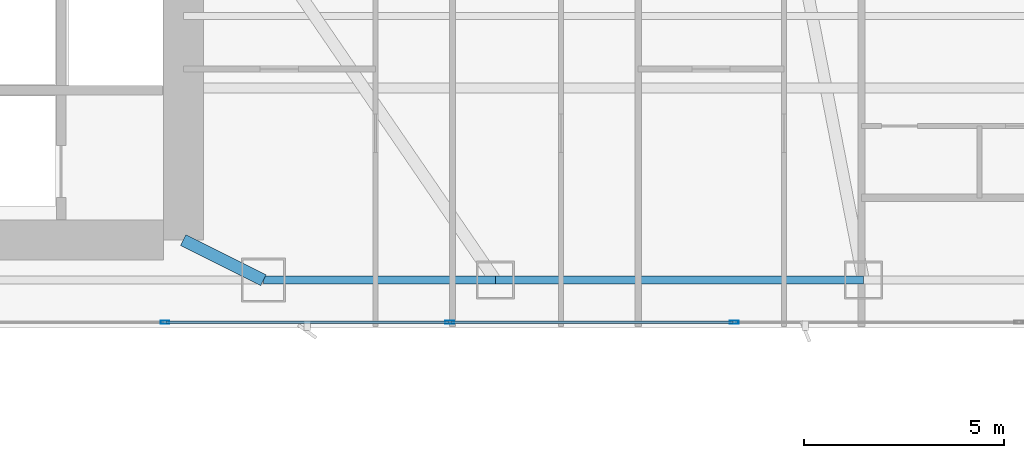
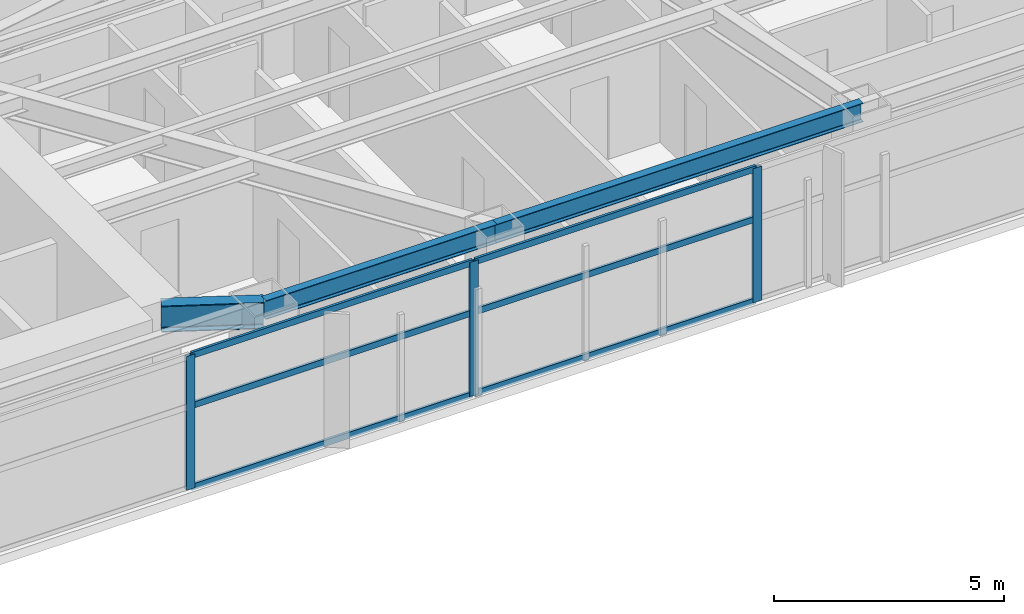
# One storey, part 12 of 30: 9 members, 3 beams, 1 element without a shape of its own.
"""IFC4 building model written with IfcOpenShell, lengths in metres."""

import ifcopenshell
import ifcopenshell.guid

model = None  # the IFC model being written
_history = None  # IfcOwnerHistory: only IFC2X3 demands one
_inside = {}  # id of a spatial element -> (the spatial element, [elements in it])
_under = {}  # id of a project, library or spatial element -> (it, [spatial elements below it])
_declared = {}  # id of a project -> (the project, [libraries it declares])
_typed = {}  # id of a type object -> (the type object, [elements of that type])
_made_of = {}  # id of a material, layer set ... -> (it, [elements and type objects made of it])


def new_model(schema):
    """Start an empty IFC model of exactly this schema.

    Asked for "IFC4X3", IfcOpenShell would pick the latest addendum, in which some entities
    have other attributes; the version numbers below select the first issue.
    IFC2X3 requires an IfcOwnerHistory on every rooted entity: one is made here for all.
    """
    global model, _history
    if schema == "IFC4X3":
        model = ifcopenshell.file(schema_version=(4, 3, 0, 0))
    else:
        model = ifcopenshell.file(schema=schema)
    _inside.clear()
    _under.clear()
    _declared.clear()
    _typed.clear()
    _made_of.clear()
    _history = None
    if model.schema == "IFC2X3":
        org = make("IfcOrganization", Name="unknown")
        user = make(
            "IfcPersonAndOrganization",
            ThePerson=make("IfcPerson", FamilyName="unknown"),
            TheOrganization=org,
        )
        app = make(
            "IfcApplication",
            ApplicationDeveloper=org,
            Version="unknown",
            ApplicationFullName="unknown",
            ApplicationIdentifier="unknown",
        )
        _history = make(
            "IfcOwnerHistory",
            OwningUser=user,
            OwningApplication=app,
            ChangeAction="ADDED",
            CreationDate=0,
        )
    return model


def make(cls, **values):
    """One entity of the class cls with the attributes given. An attribute that is None is left unset."""
    return model.create_entity(
        cls, **{name: value for name, value in values.items() if value is not None}
    )


def rooted(cls, **values):
    """An entity with a GlobalId (a new one), such as an element, a storey or a relation."""
    return make(cls, GlobalId=ifcopenshell.guid.new(), OwnerHistory=_history, **values)


def si_unit(unit_type, name, prefix=None):
    """IfcSIUnit, for example si_unit("LENGTHUNIT", "METRE", prefix="MILLI")."""
    return make("IfcSIUnit", UnitType=unit_type, Prefix=prefix, Name=name)


def assignment(units):
    """IfcUnitAssignment: the units of a project."""
    return None if units is None else make("IfcUnitAssignment", Units=units)


def point(xyz):
    """IfcCartesianPoint."""
    return None if xyz is None else make("IfcCartesianPoint", Coordinates=xyz)


def direction(xyz):
    """IfcDirection."""
    return None if xyz is None else make("IfcDirection", DirectionRatios=xyz)


def frame(location, z_axis=None, x_axis=None):
    """IfcAxis2Placement3D, a coordinate frame: its origin and axes. An axis left out is left unset."""
    return make(
        "IfcAxis2Placement3D",
        Location=point(location),
        Axis=direction(z_axis),
        RefDirection=direction(x_axis),
    )


def frame_2d(location, x_axis=None):
    """IfcAxis2Placement2D, a coordinate frame in the plane: its origin and x axis."""
    return make(
        "IfcAxis2Placement2D", Location=point(location), RefDirection=direction(x_axis)
    )


def origin():
    """The frame at (0, 0, 0) with its axes left unset."""
    return frame((0.0, 0.0, 0.0))


def origin_2d():
    """The frame at (0, 0) in the plane with its x axis left unset."""
    return frame_2d((0.0, 0.0))


def place(relative_to, where):
    """IfcLocalPlacement: puts the frame where relative to a parent placement (None: the world)."""
    return make(
        "IfcLocalPlacement", PlacementRelTo=relative_to, RelativePlacement=where
    )


def context(
    kind, dimensions, precision=None, world=None, true_north=None, identifier=None
):
    """IfcGeometricRepresentationContext, for example the 3D "Model" context."""
    return make(
        "IfcGeometricRepresentationContext",
        ContextIdentifier=identifier,
        ContextType=kind,
        CoordinateSpaceDimension=dimensions,
        Precision=precision,
        WorldCoordinateSystem=world,
        TrueNorth=true_north,
    )


def subcontext(parent, identifier, kind, view, scale=None):
    """IfcGeometricRepresentationSubContext, for example "Body" below "Model"."""
    return make(
        "IfcGeometricRepresentationSubContext",
        ContextIdentifier=identifier,
        ContextType=kind,
        ParentContext=parent,
        TargetScale=scale,
        TargetView=view,
    )


def project(units=None, contexts=None):
    """IfcProject with its units and contexts."""
    return rooted(
        "IfcProject",
        Name="project",
        RepresentationContexts=contexts,
        UnitsInContext=assignment(units),
    )


def spatial(cls, under=None, at=None, **own):
    """A site, building, storey or space (cls), placed at a placement, below another one or the project."""
    s = rooted(cls, ObjectPlacement=at, **own)
    if under is not None:
        _under.setdefault(under.id(), (under, []))[1].append(s)
    return s


def profile(cls, at=None, kind="AREA", **sizes):
    """A parametric profile (cls). Its sizes go by their IFC names, for example OverallWidth=200.0."""
    return make(cls, ProfileType=kind, Position=at, **sizes)


def hollow_rectangle(**sizes):
    """IfcRectangleHollowProfileDef."""
    return profile("IfcRectangleHollowProfileDef", **sizes)


def i_section(**sizes):
    """IfcIShapeProfileDef."""
    return profile("IfcIShapeProfileDef", **sizes)


def extrude(swept, where, along, depth):
    """IfcExtrudedAreaSolid: the profile swept, set in the frame where, extruded along a direction by depth."""
    return make(
        "IfcExtrudedAreaSolid",
        SweptArea=swept,
        Position=where,
        ExtrudedDirection=direction(along),
        Depth=depth,
    )


def shape(context_of_items, identifier, shape_type, items):
    """IfcShapeRepresentation: the items that make up one representation, for example the "Body"."""
    return make(
        "IfcShapeRepresentation",
        ContextOfItems=context_of_items,
        RepresentationIdentifier=identifier,
        RepresentationType=shape_type,
        Items=items,
    )


def material(Name=None, Category=None):
    """IfcMaterial."""
    return make("IfcMaterial", Name=Name, Category=Category)


def layer(
    of_material, thickness, ventilated=None, Name=None, Category=None, Priority=None
):
    """IfcMaterialLayer: one layer of a wall or slab, of a material (None: an air gap)."""
    return make(
        "IfcMaterialLayer",
        Material=of_material,
        LayerThickness=thickness,
        IsVentilated=ventilated,
        Name=Name,
        Category=Category,
        Priority=Priority,
    )


def layer_set(layers, Name=None):
    """IfcMaterialLayerSet."""
    return make("IfcMaterialLayerSet", MaterialLayers=layers, LayerSetName=Name)


def material_profile(
    of_material, cross_section, Name=None, Category=None, Priority=None
):
    """IfcMaterialProfile: a cross section and its material."""
    return make(
        "IfcMaterialProfile",
        Name=Name,
        Material=of_material,
        Profile=cross_section,
        Priority=Priority,
        Category=Category,
    )


def profile_set(profiles, Name=None, composite=None):
    """IfcMaterialProfileSet."""
    return make(
        "IfcMaterialProfileSet",
        Name=Name,
        MaterialProfiles=profiles,
        CompositeProfile=composite,
    )


def made_of(thing, what):
    """Note that an element or type object is made of a material, layer set ...; save() writes the relation."""
    if what is not None:
        _made_of.setdefault(what.id(), (what, []))[1].append(thing)
    return thing


def type_object(cls, material=None, **own):
    """A type object (cls), such as IfcWallType, which elements share."""
    return made_of(rooted(cls, **own), material)


def element(
    cls,
    number,
    at=None,
    inside=None,
    cuts=None,
    type_object=None,
    material=None,
    context=None,
    identifier="Body",
    shape_type=None,
    held_by="IfcProductDefinitionShape",
    body=None,
    shapes=None,
    **own,
):
    """One element of the class cls, such as IfcWall. Its Tag is "e" and its number.

    at: its placement. inside: the storey or other place that contains it. cuts: it is an
    opening in that element (IfcRelVoidsElement). A single representation is given by context,
    identifier, shape_type and body (its items); several are given by shapes. held_by: the class
    of the entity that holds the representations. save() writes the other relations.
    """
    e = rooted(cls, Tag="e%d" % number, ObjectPlacement=at, **own)
    if body is not None:
        shapes = [shape(context, identifier, shape_type, body)]
    if shapes is not None:
        e.Representation = make(held_by, Representations=shapes)
    if inside is not None:
        _inside.setdefault(inside.id(), (inside, []))[1].append(e)
    if cuts is not None:
        rooted(
            "IfcRelVoidsElement", RelatingBuildingElement=cuts, RelatedOpeningElement=e
        )
    if type_object is not None:
        _typed.setdefault(type_object.id(), (type_object, []))[1].append(e)
    return made_of(e, material)


def aggregate(whole, parts):
    """IfcRelAggregates: a whole, such as a stair, and the parts it consists of."""
    return rooted("IfcRelAggregates", RelatingObject=whole, RelatedObjects=parts)


def save(model, path):
    """Write the relations noted so far, then the file.

    IfcRelAggregates (storeys below a building ...), IfcRelContainedInSpatialStructure (elements
    in a storey), IfcRelDefinesByType, IfcRelAssociatesMaterial and IfcRelDeclares: one each for
    every whole, place, type object, material and project.
    """
    for whole, parts in _under.values():
        aggregate(whole, parts)
    for where, things in _inside.values():
        rooted(
            "IfcRelContainedInSpatialStructure",
            RelatedElements=things,
            RelatingStructure=where,
        )
    for kind, things in _typed.values():
        rooted("IfcRelDefinesByType", RelatedObjects=things, RelatingType=kind)
    for what, things in _made_of.values():
        rooted("IfcRelAssociatesMaterial", RelatedObjects=things, RelatingMaterial=what)
    for by, libraries in _declared.values():
        rooted("IfcRelDeclares", RelatingContext=by, RelatedDefinitions=libraries)
    model.write(path)


model = new_model("IFC4")

# Units and contexts
model_context = context("Model", 3, precision=1e-05, world=origin(), true_north=direction((0.0, 1.0)))
body_context = subcontext(model_context, "Body", "Model", "MODEL_VIEW")
ifc_project = project(units=[si_unit("LENGTHUNIT", "METRE"), si_unit("AREAUNIT", "SQUARE_METRE"), si_unit("VOLUMEUNIT", "CUBIC_METRE"), si_unit("PLANEANGLEUNIT", "RADIAN"), si_unit("MASSUNIT", "GRAM", prefix="KILO")], contexts=[model_context])

# Site, building, storey
site_placement = place(None, origin())
site = spatial("IfcSite", under=ifc_project, at=site_placement, CompositionType="ELEMENT")
building_placement = place(site_placement, origin())
building = spatial("IfcBuilding", under=site, at=building_placement, Name="Calvorn Quay Hotel", CompositionType="ELEMENT")
storey_placement = place(building_placement, frame((0.0, 0.0, 50.800048828125)))
storey = spatial("IfcBuildingStorey", under=building, at=storey_placement, Name="L11", CompositionType="ELEMENT", Elevation=50.800048828125)

# Beams
ifc_material_1 = material(Name="Steel Q390GJC", Category="steel")
ifc_material_profile_1 = material_profile(ifc_material_1, i_section(OverallWidth=0.300048828125, OverallDepth=0.699951171875, WebThickness=0.012939453125, FlangeThickness=0.02392578125, FilletRadius=0.02392578125, at=origin_2d()), Name="HN700x300x13x24")
ifc_profile_set_1 = profile_set([ifc_material_profile_1], Name="Steel Q390GJC")
beam_type_1 = type_object("IfcBeamType", Name="BM-GIRD-MAIN", PredefinedType="BEAM", material=ifc_profile_set_1)
beam_1_placement = place(storey_placement, frame((34.39990234375, 3.60009765625, 3.18994140625), z_axis=(-0.894427191, 0.4472135955, 0.0), x_axis=(-0.4472135955, -0.894427191, 0.0)))
element("IfcBeam", 1, at=beam_1_placement, inside=storey, type_object=beam_type_1, Name="Beam BG-L11-S3", PredefinedType="BEAM", context=body_context, shape_type="SweptSolid", body=[
    extrude(i_section(OverallWidth=0.300048828125, OverallDepth=0.699951171875, WebThickness=0.012939453125, FlangeThickness=0.02392578125, FilletRadius=0.02392578125, at=origin_2d()), origin(), (0.0, 0.0, 1.0), 2.236083984375),
])
ifc_material_2 = material(Name="Steel Q355B", Category="steel")
ifc_material_profile_2 = material_profile(ifc_material_2, i_section(OverallWidth=0.199951171875, OverallDepth=0.5, WebThickness=0.010009765625, FlangeThickness=0.01611328125, FilletRadius=0.01611328125, at=origin_2d()), Name="HN500x200x10x16")
ifc_profile_set_2 = profile_set([ifc_material_profile_2], Name="Steel Q355B")
beam_type_2 = type_object("IfcBeamType", Name="BM-SPANDREL-Z1", PredefinedType="SPANDREL", material=ifc_profile_set_2)
beam_2_placement = place(storey_placement, frame((34.39990234375, 3.60009765625, 3.2900390625), z_axis=(1.0, 0.0, 0.0), x_axis=(0.0, 1.0, 0.0)))
element("IfcBeam", 2, at=beam_2_placement, inside=storey, type_object=beam_type_2, Name="Beam BSP-L11-S4", PredefinedType="SPANDREL", context=body_context, shape_type="SweptSolid", body=[
    extrude(i_section(OverallWidth=0.199951171875, OverallDepth=0.5, WebThickness=0.010009765625, FlangeThickness=0.01611328125, FilletRadius=0.01611328125, at=origin_2d()), origin(), (0.0, 0.0, 1.0), 5.800048828125),
])
beam_3_placement = place(storey_placement, frame((40.199951171875, 3.60009765625, 3.2900390625), z_axis=(1.0, 0.0, 0.0), x_axis=(0.0, 1.0, 0.0)))
element("IfcBeam", 3, at=beam_3_placement, inside=storey, type_object=beam_type_2, Name="Beam BSP-L11-S5", PredefinedType="SPANDREL", context=body_context, shape_type="SweptSolid", body=[
    extrude(i_section(OverallWidth=0.199951171875, OverallDepth=0.5, WebThickness=0.010009765625, FlangeThickness=0.01611328125, FilletRadius=0.01611328125, at=origin_2d()), origin(), (0.0, 0.0, 1.0), 9.199951171875),
])

# Curtain wall, members
ifc_material_3 = material(Name="Pale Anodised Aluminium and Low-E Glass", Category="aluminium")
ifc_layer = layer(ifc_material_3, 0.219970703125)
ifc_layer_set = layer_set([ifc_layer], Name="CW-SYS-Z1")
curtain_wall_type = type_object("IfcCurtainWallType", Name="CW-SYS-Z1", PredefinedType="NOTDEFINED", material=ifc_layer_set)
curtain_wall_placement = place(storey_placement, origin())
curtain_wall = element("IfcCurtainWall", 4, at=curtain_wall_placement, inside=storey, type_object=curtain_wall_type, Name="Tower South Waterfront Curtain Wall (L11)", PredefinedType="NOTDEFINED")
ifc_material_4 = material(Name="Pale Anodised Aluminium 6063-T6", Category="aluminium")
ifc_material_profile_3 = material_profile(ifc_material_4, hollow_rectangle(XDim=0.074951171875, YDim=0.219970703125, WallThickness=0.00439453125, at=origin_2d()), Name="ALU-M220x75x4.5")
ifc_profile_set_3 = profile_set([ifc_material_profile_3], Name="Pale Anodised Aluminium 6063-T6")
member_type_1 = type_object("IfcMemberType", Name="CW-SYS-Z1-MUL", PredefinedType="MULLION", material=ifc_profile_set_3)
member_1_placement = place(storey_placement, frame((31.94287109375, 2.550048828125, 0.0), z_axis=(0.0, 0.0, 1.0), x_axis=(0.0, 1.0, 0.0)))
member_1 = element("IfcMember", 5, at=member_1_placement, type_object=member_type_1, Name="CW-L11-S mullion 4", PredefinedType="MULLION", context=body_context, shape_type="SweptSolid", body=[
    extrude(hollow_rectangle(XDim=0.074951171875, YDim=0.219970703125, WallThickness=0.00439453125, at=origin_2d()), origin(), (0.0, 0.0, 1.0), 3.56005859375),
])
member_2_placement = place(storey_placement, frame((39.05712890625, 2.550048828125, 0.0), z_axis=(0.0, 0.0, 1.0), x_axis=(0.0, 1.0, 0.0)))
member_2 = element("IfcMember", 6, at=member_2_placement, type_object=member_type_1, Name="CW-L11-S mullion 5", PredefinedType="MULLION", context=body_context, shape_type="SweptSolid", body=[
    extrude(hollow_rectangle(XDim=0.074951171875, YDim=0.219970703125, WallThickness=0.00439453125, at=origin_2d()), origin(), (0.0, 0.0, 1.0), 3.56005859375),
])
member_3_placement = place(storey_placement, frame((46.17138671875, 2.550048828125, 0.0), z_axis=(0.0, 0.0, 1.0), x_axis=(0.0, 1.0, 0.0)))
member_3 = element("IfcMember", 7, at=member_3_placement, type_object=member_type_1, Name="CW-L11-S mullion 6", PredefinedType="MULLION", context=body_context, shape_type="SweptSolid", body=[
    extrude(hollow_rectangle(XDim=0.074951171875, YDim=0.219970703125, WallThickness=0.00439453125, at=origin_2d()), origin(), (0.0, 0.0, 1.0), 3.56005859375),
])
ifc_material_5 = material(Name="Pale Anodised Aluminium 6063-T6", Category="aluminium")
ifc_material_profile_4 = material_profile(ifc_material_5, hollow_rectangle(XDim=0.06494140625, YDim=0.1650390625, WallThickness=0.00341796875, at=origin_2d()), Name="ALU-T165x65x3.5")
ifc_profile_set_4 = profile_set([ifc_material_profile_4], Name="Pale Anodised Aluminium 6063-T6")
member_type_2 = type_object("IfcMemberType", Name="CW-SYS-Z1-TRN", PredefinedType="USERDEFINED", material=ifc_profile_set_4)
member_4_placement = place(storey_placement, frame((31.972900390625, 2.550048828125, 0.030029296875), z_axis=(1.0, 0.0, 0.0), x_axis=(0.0, 1.0, 0.0)))
member_4 = element("IfcMember", 8, at=member_4_placement, type_object=member_type_2, Name="CW-L11-S transom 4.1", ObjectType="TRANSOM", PredefinedType="USERDEFINED", context=body_context, shape_type="SweptSolid", body=[
    extrude(hollow_rectangle(XDim=0.06494140625, YDim=0.1650390625, WallThickness=0.00341796875, at=origin_2d()), origin(), (0.0, 0.0, 1.0), 7.05419921875),
])
member_5_placement = place(storey_placement, frame((31.972900390625, 2.550048828125, 2.199951171875), z_axis=(1.0, 0.0, 0.0), x_axis=(0.0, 1.0, 0.0)))
member_5 = element("IfcMember", 9, at=member_5_placement, type_object=member_type_2, Name="CW-L11-S transom 4.2", ObjectType="TRANSOM", PredefinedType="USERDEFINED", context=body_context, shape_type="SweptSolid", body=[
    extrude(hollow_rectangle(XDim=0.06494140625, YDim=0.1650390625, WallThickness=0.00341796875, at=origin_2d()), origin(), (0.0, 0.0, 1.0), 7.05419921875),
])
member_6_placement = place(storey_placement, frame((31.972900390625, 2.550048828125, 3.530029296875), z_axis=(1.0, 0.0, 0.0), x_axis=(0.0, 1.0, 0.0)))
member_6 = element("IfcMember", 10, at=member_6_placement, type_object=member_type_2, Name="CW-L11-S transom 4.3", ObjectType="TRANSOM", PredefinedType="USERDEFINED", context=body_context, shape_type="SweptSolid", body=[
    extrude(hollow_rectangle(XDim=0.06494140625, YDim=0.1650390625, WallThickness=0.00341796875, at=origin_2d()), origin(), (0.0, 0.0, 1.0), 7.05419921875),
])
member_7_placement = place(storey_placement, frame((39.087158203125, 2.550048828125, 0.030029296875), z_axis=(1.0, 0.0, 0.0), x_axis=(0.0, 1.0, 0.0)))
member_7 = element("IfcMember", 11, at=member_7_placement, type_object=member_type_2, Name="CW-L11-S transom 5.1", ObjectType="TRANSOM", PredefinedType="USERDEFINED", context=body_context, shape_type="SweptSolid", body=[
    extrude(hollow_rectangle(XDim=0.06494140625, YDim=0.1650390625, WallThickness=0.00341796875, at=origin_2d()), origin(), (0.0, 0.0, 1.0), 7.05419921875),
])
member_8_placement = place(storey_placement, frame((39.087158203125, 2.550048828125, 2.199951171875), z_axis=(1.0, 0.0, 0.0), x_axis=(0.0, 1.0, 0.0)))
member_8 = element("IfcMember", 12, at=member_8_placement, type_object=member_type_2, Name="CW-L11-S transom 5.2", ObjectType="TRANSOM", PredefinedType="USERDEFINED", context=body_context, shape_type="SweptSolid", body=[
    extrude(hollow_rectangle(XDim=0.06494140625, YDim=0.1650390625, WallThickness=0.00341796875, at=origin_2d()), origin(), (0.0, 0.0, 1.0), 7.05419921875),
])
member_9_placement = place(storey_placement, frame((39.087158203125, 2.550048828125, 3.530029296875), z_axis=(1.0, 0.0, 0.0), x_axis=(0.0, 1.0, 0.0)))
member_9 = element("IfcMember", 13, at=member_9_placement, type_object=member_type_2, Name="CW-L11-S transom 5.3", ObjectType="TRANSOM", PredefinedType="USERDEFINED", context=body_context, shape_type="SweptSolid", body=[
    extrude(hollow_rectangle(XDim=0.06494140625, YDim=0.1650390625, WallThickness=0.00341796875, at=origin_2d()), origin(), (0.0, 0.0, 1.0), 7.05419921875),
])
aggregate(curtain_wall, [member_1, member_2, member_3, member_4, member_5, member_6, member_7, member_8, member_9])

save(model, "model.ifc")
